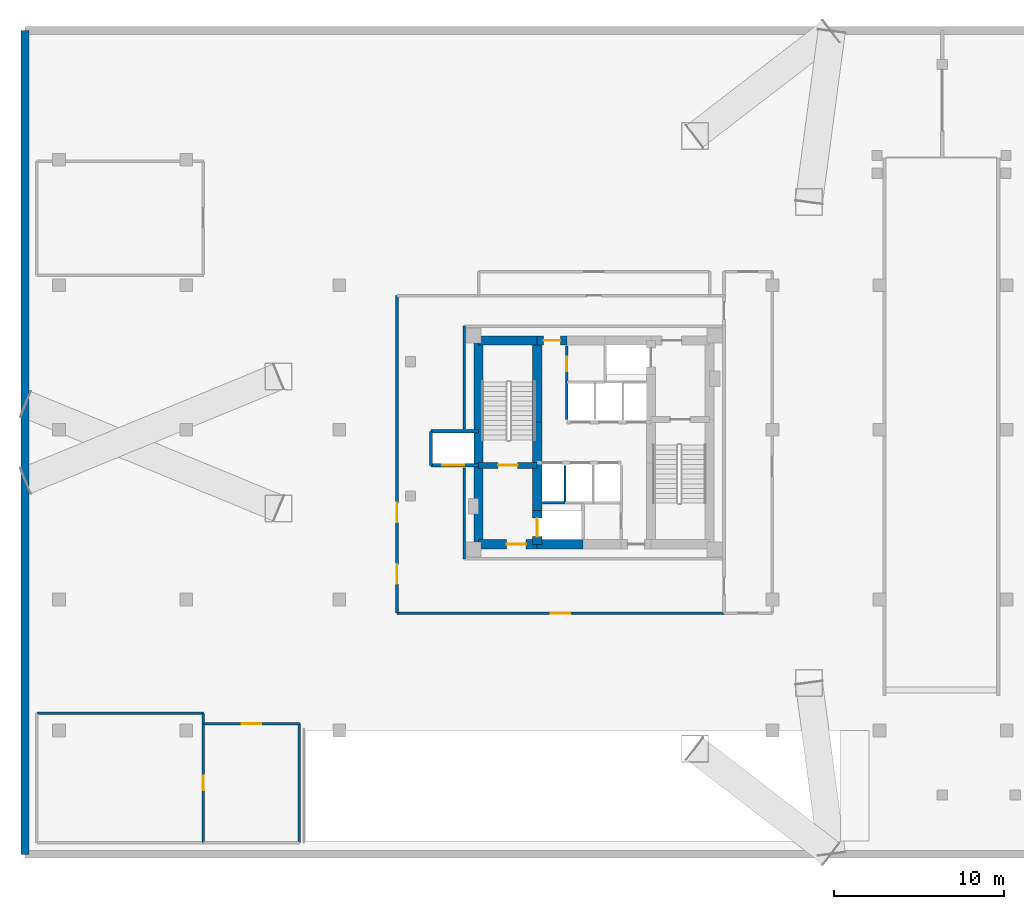
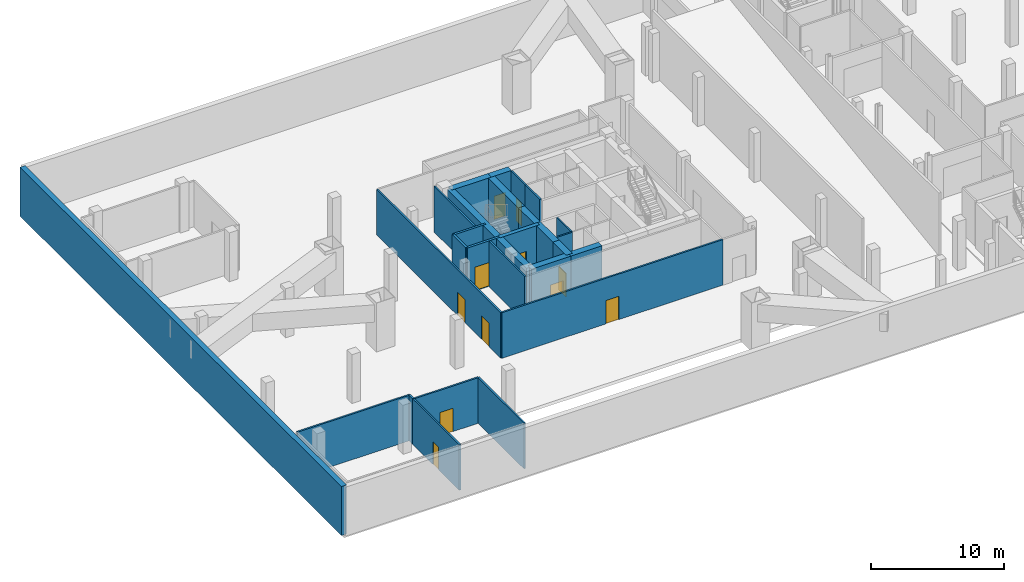
# One storey, part 5 of 14: 28 walls, 11 doors, 11 openings.
"""IFC4 building model written with IfcOpenShell, lengths in metres."""

from ifc_helpers import new_model, si_unit, direction, frame, frame_2d, origin, place, context, subcontext, project, spatial, rectangle, extrude, material, layer, layer_set, type_object, element, fill, save


model = new_model("IFC4")

# Units and contexts
model_context = context("Model", 3, precision=1e-05, world=origin(), true_north=direction((0.0, 1.0)))
body_context = subcontext(model_context, "Body", "Model", "MODEL_VIEW")
ifc_project = project(units=[si_unit("LENGTHUNIT", "METRE"), si_unit("AREAUNIT", "SQUARE_METRE"), si_unit("VOLUMEUNIT", "CUBIC_METRE"), si_unit("PLANEANGLEUNIT", "RADIAN"), si_unit("MASSUNIT", "GRAM", prefix="KILO")], contexts=[model_context])

# Site, building, storey
site_placement = place(None, origin())
site = spatial("IfcSite", under=ifc_project, at=site_placement, CompositionType="ELEMENT")
building_placement = place(site_placement, origin())
building = spatial("IfcBuilding", under=site, at=building_placement, Name="Mersakhor Tower and Convention Hall", CompositionType="ELEMENT")
storey_placement = place(building_placement, frame((0.0, 0.0, -4.5)))
storey = spatial("IfcBuildingStorey", under=building, at=storey_placement, Name="B01", CompositionType="ELEMENT", Elevation=-4.5)

# Walls
ifc_material_1 = material(Name="Gypsum board acoustic partition", Category="other")
ifc_layer_1 = layer(ifc_material_1, 0.125)
ifc_layer_set_1 = layer_set([ifc_layer_1], Name="Gypsum board acoustic partition")
wall_type_1 = type_object("IfcWallType", Name="WL-PRT-125", PredefinedType="PARTITIONING", material=ifc_layer_set_1)
wall_1_placement = place(storey_placement, frame((25.97509765625, 23.199951171875, 0.0), z_axis=(0.0, 0.0, 1.0), x_axis=(1.0, 0.0, 0.0)))
element("IfcWall", 1, at=wall_1_placement, inside=storey, type_object=wall_type_1, Name="B01 Interior Partition Wall P-001", PredefinedType="PARTITIONING", context=body_context, shape_type="SweptSolid", body=[
    extrude(rectangle(XDim=1.324951171875, YDim=0.125, at=frame_2d((0.66259765625, 0.0))), origin(), (0.0, 0.0, 1.0), 4.199951171875),
])
wall_2_placement = place(storey_placement, frame((27.300048828125, 25.39990234375, 0.0), z_axis=(0.0, 0.0, 1.0), x_axis=(0.0, -1.0, 0.0)))
element("IfcWall", 2, at=wall_2_placement, inside=storey, type_object=wall_type_1, Name="B01 Interior Partition Wall P-007", PredefinedType="PARTITIONING", context=body_context, shape_type="SweptSolid", body=[
    extrude(rectangle(XDim=2.199951171875, YDim=0.125, at=frame_2d((1.10009765625, 0.0))), origin(), (0.0, 0.0, 1.0), 4.199951171875),
])
ifc_material_2 = material(Name="Fire-rated gypsum board stud partition", Category="other")
ifc_layer_2 = layer(ifc_material_2, 0.14990234375)
ifc_layer_set_2 = layer_set([ifc_layer_2], Name="Fire-rated gypsum board stud partition")
wall_type_2 = type_object("IfcWallType", Name="WL-PRT-150", PredefinedType="PARTITIONING", material=ifc_layer_set_2)
wall_3_placement = place(storey_placement, frame((27.39990234375, 28.10009765625, 0.0), z_axis=(0.0, 0.0, 1.0), x_axis=(0.0, 1.0, 0.0)))
element("IfcWall", 3, at=wall_3_placement, inside=storey, type_object=wall_type_2, Name="B01 Interior Partition Wall P-014", PredefinedType="PARTITIONING", context=body_context, shape_type="SweptSolid", body=[
    extrude(rectangle(XDim=2.199951171875, YDim=0.14990234375, at=frame_2d((1.10009765625, 0.0))), origin(), (0.0, 0.0, 1.0), 4.199951171875),
])

# Wall, opening, door
wall_4_placement = place(storey_placement, frame((27.39990234375, 32.425048828125, 0.0), z_axis=(0.0, 0.0, 1.0), x_axis=(0.0, -1.0, 0.0)))
wall_4 = element("IfcWall", 4, at=wall_4_placement, inside=storey, type_object=wall_type_2, Name="B01 Interior Partition Wall P-018", PredefinedType="PARTITIONING", context=body_context, shape_type="SweptSolid", body=[
    extrude(rectangle(XDim=2.125, YDim=0.14990234375, at=frame_2d((1.0625, 0.0))), origin(), (0.0, 0.0, 1.0), 4.199951171875),
])
opening_1_placement = place(wall_4_placement, frame((0.637451171875, 0.0, 0.0)))
opening_1 = element("IfcOpeningElement", 5, at=opening_1_placement, cuts=wall_4, Name="Opening SVD-01", PredefinedType="OPENING", context=body_context, shape_type="SweptSolid", body=[
    extrude(rectangle(XDim=0.85009765625, YDim=2.10009765625, at=frame_2d((0.425048828125, 1.050048828125))), frame((0.0, 0.0849609375, 0.0), z_axis=(0.0, -1.0, 0.0), x_axis=(1.0, 0.0, 0.0)), (0.0, 0.0, 1.0), 0.169921875),
])
ifc_material_3 = material(Name="Fire-rated hardwood leaf and painted steel frame", Category="steel")
door_type_1 = type_object("IfcDoorType", Name="DR-INT-SVC-085x210", OperationType="NOTDEFINED", PredefinedType="DOOR", material=ifc_material_3)
door_1_placement = place(opening_1_placement, origin())
door_1 = element("IfcDoor", 6, at=door_1_placement, inside=storey, type_object=door_type_1, Name="B01 Central Passenger Lift Lobby to Telecoms and BMS Riser Room Door", OperationType="SINGLE_SWING_RIGHT", OverallHeight=2.10009765625, OverallWidth=0.85009765625, PredefinedType="DOOR", context=body_context, shape_type="SweptSolid", body=[
    extrude(rectangle(XDim=0.85009765625, YDim=2.10009765625, at=frame_2d((0.425048828125, 1.050048828125))), frame((0.0, 0.02490234375, 0.0), z_axis=(0.0, -1.0, 0.0), x_axis=(1.0, 0.0, 0.0)), (0.0, 0.0, 1.0), 0.050048828125),
])
fill(opening_1, door_1)

# Wall, openings, doors
wall_5_placement = place(storey_placement, frame((17.39990234375, 16.699951171875, 0.0), z_axis=(0.0, 0.0, 1.0), x_axis=(0.0, 1.0, 0.0)))
wall_5 = element("IfcWall", 7, at=wall_5_placement, inside=storey, type_object=wall_type_2, Name="B01 Interior Partition Wall P-019", PredefinedType="PARTITIONING", context=body_context, shape_type="SweptSolid", body=[
    extrude(rectangle(XDim=18.699951171875, YDim=0.14990234375, at=frame_2d((9.35009765625, 0.0))), origin(), (0.0, 0.0, 1.0), 4.199951171875),
])
opening_2_placement = place(wall_5_placement, frame((1.72509765625, 0.0, 0.0)))
opening_2 = element("IfcOpeningElement", 8, at=opening_2_placement, cuts=wall_5, Name="Opening SD-01", PredefinedType="OPENING", context=body_context, shape_type="SweptSolid", body=[
    extrude(rectangle(XDim=1.14990234375, YDim=2.14990234375, at=frame_2d((0.574951171875, 1.074951171875))), frame((0.0, 0.0849609375, 0.0), z_axis=(0.0, -1.0, 0.0), x_axis=(1.0, 0.0, 0.0)), (0.0, 0.0, 1.0), 0.169921875),
])
opening_3_placement = place(wall_5_placement, frame((5.347412109375, 0.0, 0.0)))
opening_3 = element("IfcOpeningElement", 9, at=opening_3_placement, cuts=wall_5, Name="Opening SD-01", PredefinedType="OPENING", context=body_context, shape_type="SweptSolid", body=[
    extrude(rectangle(XDim=1.14990234375, YDim=2.14990234375, at=frame_2d((0.574951171875, 1.074951171875))), frame((0.0, 0.0849609375, 0.0), z_axis=(0.0, -1.0, 0.0), x_axis=(1.0, 0.0, 0.0)), (0.0, 0.0, 1.0), 0.169921875),
])
ifc_material_4 = material(Name="Fire-rated hardwood leaf and painted steel frame", Category="steel")
door_type_2 = type_object("IfcDoorType", Name="DR-INT-STAIR-115x215", OperationType="NOTDEFINED", PredefinedType="DOOR", material=ifc_material_4)
door_2_placement = place(opening_2_placement, origin())
door_2 = element("IfcDoor", 10, at=door_2_placement, inside=storey, type_object=door_type_2, Name="B01 Basement Core Access Corridor West to Accessible Parking Bay AP-B01-1 Door", OperationType="SINGLE_SWING_RIGHT", OverallHeight=2.14990234375, OverallWidth=1.14990234375, PredefinedType="DOOR", context=body_context, shape_type="SweptSolid", body=[
    extrude(rectangle(XDim=1.14990234375, YDim=2.14990234375, at=frame_2d((0.574951171875, 1.074951171875))), frame((0.0, 0.02490234375, 0.0), z_axis=(0.0, -1.0, 0.0), x_axis=(1.0, 0.0, 0.0)), (0.0, 0.0, 1.0), 0.050048828125),
])
fill(opening_2, door_2)
door_3_placement = place(opening_3_placement, origin())
door_3 = element("IfcDoor", 11, at=door_3_placement, inside=storey, type_object=door_type_2, Name="B01 Basement Core Access Corridor West to Accessible Parking Bay AP-B01-2 Door", OperationType="SINGLE_SWING_LEFT", OverallHeight=2.14990234375, OverallWidth=1.14990234375, PredefinedType="DOOR", context=body_context, shape_type="SweptSolid", body=[
    extrude(rectangle(XDim=1.14990234375, YDim=2.14990234375, at=frame_2d((0.574951171875, 1.074951171875))), frame((0.0, 0.02490234375, 0.0), z_axis=(0.0, -1.0, 0.0), x_axis=(1.0, 0.0, 0.0)), (0.0, 0.0, 1.0), 0.050048828125),
])
fill(opening_3, door_3)

# Walls
wall_6_placement = place(storey_placement, frame((21.35009765625, 33.60009765625, 0.0), z_axis=(0.0, 0.0, 1.0), x_axis=(0.0, -1.0, 0.0)))
element("IfcWall", 12, at=wall_6_placement, inside=storey, type_object=wall_type_2, Name="B01 Interior Partition Wall P-025", PredefinedType="PARTITIONING", context=body_context, shape_type="SweptSolid", body=[
    extrude(rectangle(XDim=6.050048828125, YDim=0.14990234375, at=frame_2d((3.02490234375, 0.0))), origin(), (0.0, 0.0, 1.0), 4.199951171875),
])
wall_7_placement = place(storey_placement, frame((21.35009765625, 25.25, 0.0), z_axis=(0.0, 0.0, 1.0), x_axis=(0.0, -1.0, 0.0)))
element("IfcWall", 13, at=wall_7_placement, inside=storey, type_object=wall_type_2, Name="B01 Interior Partition Wall P-026", PredefinedType="PARTITIONING", context=body_context, shape_type="SweptSolid", body=[
    extrude(rectangle(XDim=5.35009765625, YDim=0.14990234375, at=frame_2d((2.675048828125, 0.0))), origin(), (0.0, 0.0, 1.0), 4.199951171875),
])

# Wall, opening, door
wall_8_placement = place(storey_placement, frame((36.64990234375, 16.699951171875, 0.0), z_axis=(0.0, 0.0, 1.0), x_axis=(-1.0, 0.0, 0.0)))
wall_8 = element("IfcWall", 14, at=wall_8_placement, inside=storey, type_object=wall_type_2, Name="B01 Interior Partition Wall P-029", PredefinedType="PARTITIONING", context=body_context, shape_type="SweptSolid", body=[
    extrude(rectangle(XDim=19.25, YDim=0.14990234375, at=frame_2d((9.625, 0.0))), origin(), (0.0, 0.0, 1.0), 4.199951171875),
])
opening_4_placement = place(wall_8_placement, frame((9.050048828125, 0.0, 0.0)))
opening_4 = element("IfcOpeningElement", 15, at=opening_4_placement, cuts=wall_8, Name="Opening SD-01", PredefinedType="OPENING", context=body_context, shape_type="SweptSolid", body=[
    extrude(rectangle(XDim=1.14990234375, YDim=2.14990234375, at=frame_2d((0.574951171875, 1.074951171875))), frame((0.0, 0.0849609375, 0.0), z_axis=(0.0, -1.0, 0.0), x_axis=(1.0, 0.0, 0.0)), (0.0, 0.0, 1.0), 0.169921875),
])
door_4_placement = place(opening_4_placement, origin())
door_4 = element("IfcDoor", 16, at=door_4_placement, inside=storey, type_object=door_type_2, Name="B01 Basement Core Access Corridor West to Two-Way Basement Drive Aisle AISLE-S Door", OperationType="SINGLE_SWING_LEFT", OverallHeight=2.14990234375, OverallWidth=1.14990234375, PredefinedType="DOOR", context=body_context, shape_type="SweptSolid", body=[
    extrude(rectangle(XDim=1.14990234375, YDim=2.14990234375, at=frame_2d((0.574951171875, 1.074951171875))), frame((0.0, 0.02490234375, 0.0), z_axis=(0.0, -1.0, 0.0), x_axis=(1.0, 0.0, 0.0)), (0.0, 0.0, 1.0), 0.050048828125),
])
fill(opening_4, door_4)

# Walls
wall_9_placement = place(storey_placement, frame((-3.800048828125, 10.800048828125, 0.0), z_axis=(0.0, 0.0, 1.0), x_axis=(1.0, 0.0, 0.0)))
element("IfcWall", 17, at=wall_9_placement, inside=storey, type_object=wall_type_2, Name="B01 Interior Partition Wall P-053", PredefinedType="PARTITIONING", context=body_context, shape_type="SweptSolid", body=[
    extrude(rectangle(XDim=9.800048828125, YDim=0.14990234375, at=frame_2d((4.89990234375, 0.0))), origin(), (0.0, 0.0, 1.0), 4.199951171875),
])
wall_10_placement = place(storey_placement, frame((6.0, 10.800048828125, 0.0), z_axis=(0.0, 0.0, 1.0), x_axis=(0.0, -1.0, 0.0)))
element("IfcWall", 18, at=wall_10_placement, inside=storey, type_object=wall_type_2, Name="B01 Interior Partition Wall P-054", PredefinedType="PARTITIONING", context=body_context, shape_type="SweptSolid", body=[
    extrude(rectangle(XDim=0.60009765625, YDim=0.14990234375, at=frame_2d((0.300048828125, 0.0))), origin(), (0.0, 0.0, 1.0), 4.199951171875),
])

# Wall, opening, door
wall_11_placement = place(storey_placement, frame((6.0, 10.199951171875, 0.0), z_axis=(0.0, 0.0, 1.0), x_axis=(0.0, -1.0, 0.0)))
wall_11 = element("IfcWall", 19, at=wall_11_placement, inside=storey, type_object=wall_type_2, Name="B01 Interior Partition Wall P-055", PredefinedType="PARTITIONING", context=body_context, shape_type="SweptSolid", body=[
    extrude(rectangle(XDim=7.0, YDim=0.14990234375, at=frame_2d((3.5, 0.0))), origin(), (0.0, 0.0, 1.0), 4.199951171875),
])
opening_5_placement = place(wall_11_placement, frame((3.074951171875, 0.0, 0.0)))
opening_5 = element("IfcOpeningElement", 20, at=opening_5_placement, cuts=wall_11, Name="Opening SVD-01", PredefinedType="OPENING", context=body_context, shape_type="SweptSolid", body=[
    extrude(rectangle(XDim=0.85009765625, YDim=2.10009765625, at=frame_2d((0.425048828125, 1.050048828125))), frame((0.0, 0.0849609375, 0.0), z_axis=(0.0, -1.0, 0.0), x_axis=(1.0, 0.0, 0.0)), (0.0, 0.0, 1.0), 0.169921875),
])
door_5_placement = place(opening_5_placement, origin())
door_5 = element("IfcDoor", 21, at=door_5_placement, inside=storey, type_object=door_type_1, Name="B01 Fire Fighting and Potable Water Tank Room to Sprinkler and Domestic Booster Pump Plant Room Door", OperationType="SINGLE_SWING_LEFT", OverallHeight=2.10009765625, OverallWidth=0.85009765625, PredefinedType="DOOR", context=body_context, shape_type="SweptSolid", body=[
    extrude(rectangle(XDim=0.85009765625, YDim=2.10009765625, at=frame_2d((0.425048828125, 1.050048828125))), frame((0.0, 0.02490234375, 0.0), z_axis=(0.0, -1.0, 0.0), x_axis=(1.0, 0.0, 0.0)), (0.0, 0.0, 1.0), 0.050048828125),
])
fill(opening_5, door_5)

wall_12_placement = place(storey_placement, frame((6.0, 10.199951171875, 0.0), z_axis=(0.0, 0.0, 1.0), x_axis=(1.0, 0.0, 0.0)))
wall_12 = element("IfcWall", 22, at=wall_12_placement, inside=storey, type_object=wall_type_2, Name="B01 Interior Partition Wall P-058", PredefinedType="PARTITIONING", context=body_context, shape_type="SweptSolid", body=[
    extrude(rectangle(XDim=5.64990234375, YDim=0.14990234375, at=frame_2d((2.824951171875, 0.0))), origin(), (0.0, 0.0, 1.0), 4.199951171875),
])
opening_6_placement = place(wall_12_placement, frame((2.25, 0.0, 0.0)))
opening_6 = element("IfcOpeningElement", 23, at=opening_6_placement, cuts=wall_12, Name="Opening SD-01", PredefinedType="OPENING", context=body_context, shape_type="SweptSolid", body=[
    extrude(rectangle(XDim=1.14990234375, YDim=2.14990234375, at=frame_2d((0.574951171875, 1.074951171875))), frame((0.0, 0.0849609375, 0.0), z_axis=(0.0, -1.0, 0.0), x_axis=(1.0, 0.0, 0.0)), (0.0, 0.0, 1.0), 0.169921875),
])
door_6_placement = place(opening_6_placement, origin())
door_6 = element("IfcDoor", 24, at=door_6_placement, inside=storey, type_object=door_type_2, Name="B01 Two-Way Basement Drive Aisle AISLE-W to Sprinkler and Domestic Booster Pump Plant Room Door", OperationType="SINGLE_SWING_RIGHT", OverallHeight=2.14990234375, OverallWidth=1.14990234375, PredefinedType="DOOR", context=body_context, shape_type="SweptSolid", body=[
    extrude(rectangle(XDim=1.14990234375, YDim=2.14990234375, at=frame_2d((0.574951171875, 1.074951171875))), frame((0.0, 0.02490234375, 0.0), z_axis=(0.0, -1.0, 0.0), x_axis=(1.0, 0.0, 0.0)), (0.0, 0.0, 1.0), 0.050048828125),
])
fill(opening_6, door_6)

# Walls
wall_13_placement = place(storey_placement, frame((11.64990234375, 10.199951171875, 0.0), z_axis=(0.0, 0.0, 1.0), x_axis=(0.0, -1.0, 0.0)))
element("IfcWall", 25, at=wall_13_placement, inside=storey, type_object=wall_type_2, Name="B01 Interior Partition Wall P-059", PredefinedType="PARTITIONING", context=body_context, shape_type="SweptSolid", body=[
    extrude(rectangle(XDim=7.0, YDim=0.14990234375, at=frame_2d((3.5, 0.0))), origin(), (0.0, 0.0, 1.0), 4.199951171875),
])
ifc_material_5 = material(Name="Acoustic concrete blockwork and gypsum board", Category="masonry")
ifc_layer_3 = layer(ifc_material_5, 0.199951171875)
ifc_layer_set_3 = layer_set([ifc_layer_3], Name="Acoustic concrete blockwork and gypsum board")
wall_type_3 = type_object("IfcWallType", Name="WL-PRT-200", PredefinedType="PARTITIONING", material=ifc_layer_set_3)
wall_14_placement = place(storey_placement, frame((19.39990234375, 25.39990234375, 0.0), z_axis=(0.0, 0.0, 1.0), x_axis=(0.0, 1.0, 0.0)))
element("IfcWall", 26, at=wall_14_placement, inside=storey, type_object=wall_type_3, Name="B01 Clinic Lift West Wall", PredefinedType="PARTITIONING", context=body_context, shape_type="SweptSolid", body=[
    extrude(rectangle(XDim=2.0, YDim=0.199951171875, at=frame_2d((1.0, 0.0))), origin(), (0.0, 0.0, 1.0), 4.199951171875),
])
wall_15_placement = place(storey_placement, frame((19.39990234375, 27.39990234375, 0.0), z_axis=(0.0, 0.0, 1.0), x_axis=(1.0, 0.0, 0.0)))
element("IfcWall", 27, at=wall_15_placement, inside=storey, type_object=wall_type_3, Name="B01 Clinic Lift North Wall", PredefinedType="PARTITIONING", context=body_context, shape_type="SweptSolid", body=[
    extrude(rectangle(XDim=2.800048828125, YDim=0.199951171875, at=frame_2d((1.39990234375, 0.0))), origin(), (0.0, 0.0, 1.0), 4.199951171875),
])

# Wall, opening, door
wall_16_placement = place(storey_placement, frame((22.199951171875, 25.39990234375, 0.0), z_axis=(0.0, 0.0, 1.0), x_axis=(-1.0, 0.0, 0.0)))
wall_16 = element("IfcWall", 28, at=wall_16_placement, inside=storey, type_object=wall_type_3, Name="B01 Clinic Lift Front Wall", PredefinedType="PARTITIONING", context=body_context, shape_type="SweptSolid", body=[
    extrude(rectangle(XDim=2.800048828125, YDim=0.199951171875, at=frame_2d((1.39990234375, 0.0))), origin(), (0.0, 0.0, 1.0), 4.199951171875),
])
opening_7_placement = place(wall_16_placement, frame((0.85009765625, 0.0, 0.0)))
opening_7 = element("IfcOpeningElement", 29, at=opening_7_placement, cuts=wall_16, Name="Opening LD-CL1", PredefinedType="OPENING", context=body_context, shape_type="SweptSolid", body=[
    extrude(rectangle(XDim=1.300048828125, YDim=2.199951171875, at=frame_2d((0.64990234375, 1.10009765625))), frame((0.0, 0.10986328125, 0.0), z_axis=(0.0, -1.0, 0.0), x_axis=(1.0, 0.0, 0.0)), (0.0, 0.0, 1.0), 0.219970703125),
])
ifc_material_6 = material(Name="Fire-rated brushed stainless steel sliding landing door", Category="steel")
door_type_3 = type_object("IfcDoorType", Name="DR-LIFT-SLD-130x220", OperationType="NOTDEFINED", PredefinedType="DOOR", material=ifc_material_6)
door_7_placement = place(opening_7_placement, origin())
door_7 = element("IfcDoor", 30, at=door_7_placement, inside=storey, type_object=door_type_3, Name="B01 Clinic Stretcher Lift Landing Door LD-CL1", OperationType="SLIDING_TO_LEFT", OverallHeight=2.199951171875, OverallWidth=1.300048828125, PredefinedType="DOOR", context=body_context, shape_type="SweptSolid", body=[
    extrude(rectangle(XDim=1.300048828125, YDim=2.199951171875, at=frame_2d((0.64990234375, 1.10009765625))), frame((0.0, 0.02490234375, 0.0), z_axis=(0.0, -1.0, 0.0), x_axis=(1.0, 0.0, 0.0)), (0.0, 0.0, 1.0), 0.050048828125),
])
fill(opening_7, door_7)

# Wall
ifc_material_7 = material(Name="Concrete C45/55", Category="concrete")
ifc_layer_4 = layer(ifc_material_7, 0.449951171875)
ifc_layer_set_4 = layer_set([ifc_layer_4], Name="Concrete C45/55")
wall_type_4 = type_object("IfcWallType", Name="WL-RET-450", PredefinedType="USERDEFINED", material=ifc_layer_set_4)
wall_17_placement = place(storey_placement, frame((-4.5, 51.0, 0.0), z_axis=(0.0, 0.0, 1.0), x_axis=(0.0, -1.0, 0.0)))
element("IfcWall", 31, at=wall_17_placement, inside=storey, type_object=wall_type_4, Name="B01 Perimeter Retaining Wall W", ObjectType="RETAININGWALL", PredefinedType="USERDEFINED", context=body_context, shape_type="SweptSolid", body=[
    extrude(rectangle(XDim=48.5, YDim=0.449951171875, at=frame_2d((24.25, 0.0))), origin(), (0.0, 0.0, 1.0), 4.5),
])

# Wall, opening, door
ifc_material_8 = material(Name="Concrete C50/60", Category="concrete")
ifc_layer_5 = layer(ifc_material_8, 0.35009765625)
ifc_layer_set_5 = layer_set([ifc_layer_5], Name="Concrete C50/60")
wall_type_5 = type_object("IfcWallType", Name="WL-SHR-350", PredefinedType="SHEAR", material=ifc_layer_set_5)
wall_18_placement = place(storey_placement, frame((22.199951171875, 25.39990234375, 0.0), z_axis=(0.0, 0.0, 1.0), x_axis=(1.0, 0.0, 0.0)))
wall_18 = element("IfcWall", 32, at=wall_18_placement, inside=storey, type_object=wall_type_5, Name="B01 Core Wall CS-ST1-S", PredefinedType="SHEAR", context=body_context, shape_type="SweptSolid", body=[
    extrude(rectangle(XDim=3.449951171875, YDim=0.35009765625, at=frame_2d((1.72509765625, 0.0))), origin(), (0.0, 0.0, 1.0), 4.199951171875),
])
opening_8_placement = place(wall_18_placement, frame((1.14990234375, 0.0, 0.0)))
opening_8 = element("IfcOpeningElement", 33, at=opening_8_placement, cuts=wall_18, Name="Opening SD-01", PredefinedType="OPENING", context=body_context, shape_type="SweptSolid", body=[
    extrude(rectangle(XDim=1.14990234375, YDim=2.14990234375, at=frame_2d((0.574951171875, 1.074951171875))), frame((0.0, 0.18505859375, 0.0), z_axis=(0.0, -1.0, 0.0), x_axis=(1.0, 0.0, 0.0)), (0.0, 0.0, 1.0), 0.3701171875),
])
door_8_placement = place(opening_8_placement, origin())
door_8 = element("IfcDoor", 34, at=door_8_placement, inside=storey, type_object=door_type_2, Name="B01 Exit Stair ST-1 Enclosure Door", OperationType="SINGLE_SWING_LEFT", OverallHeight=2.14990234375, OverallWidth=1.14990234375, PredefinedType="DOOR", context=body_context, shape_type="SweptSolid", body=[
    extrude(rectangle(XDim=1.14990234375, YDim=2.14990234375, at=frame_2d((0.574951171875, 1.074951171875))), frame((0.0, 0.02490234375, 0.0), z_axis=(0.0, -1.0, 0.0), x_axis=(1.0, 0.0, 0.0)), (0.0, 0.0, 1.0), 0.050048828125),
])
fill(opening_8, door_8)

# Walls
ifc_material_9 = material(Name="Concrete C70/85", Category="concrete")
ifc_layer_6 = layer(ifc_material_9, 0.550048828125)
ifc_layer_set_6 = layer_set([ifc_layer_6], Name="Concrete C70/85")
wall_type_6 = type_object("IfcWallType", Name="WL-SHR-550", PredefinedType="SHEAR", material=ifc_layer_set_6)
wall_19_placement = place(storey_placement, frame((22.199951171875, 20.75, 0.0), z_axis=(0.0, 0.0, 1.0), x_axis=(0.0, 1.0, 0.0)))
element("IfcWall", 35, at=wall_19_placement, inside=storey, type_object=wall_type_6, Name="B01 Core Wall CW-W1", PredefinedType="SHEAR", context=body_context, shape_type="SweptSolid", body=[
    extrude(rectangle(XDim=4.64990234375, YDim=0.550048828125, at=frame_2d((2.324951171875, 0.0))), origin(), (0.0, 0.0, 1.0), 4.199951171875),
])
wall_20_placement = place(storey_placement, frame((22.199951171875, 25.39990234375, 0.0), z_axis=(0.0, 0.0, 1.0), x_axis=(0.0, 1.0, 0.0)))
element("IfcWall", 36, at=wall_20_placement, inside=storey, type_object=wall_type_6, Name="B01 Core Wall CW-W2", PredefinedType="SHEAR", context=body_context, shape_type="SweptSolid", body=[
    extrude(rectangle(XDim=7.35009765625, YDim=0.550048828125, at=frame_2d((3.675048828125, 0.0))), origin(), (0.0, 0.0, 1.0), 4.199951171875),
])
wall_21_placement = place(storey_placement, frame((22.199951171875, 32.75, 0.0), z_axis=(0.0, 0.0, 1.0), x_axis=(1.0, 0.0, 0.0)))
element("IfcWall", 37, at=wall_21_placement, inside=storey, type_object=wall_type_6, Name="B01 Core Wall CW-N1", PredefinedType="SHEAR", context=body_context, shape_type="SweptSolid", body=[
    extrude(rectangle(XDim=3.449951171875, YDim=0.550048828125, at=frame_2d((1.72509765625, 0.0))), origin(), (0.0, 0.0, 1.0), 4.199951171875),
])

# Wall, opening, door
wall_22_placement = place(storey_placement, frame((25.64990234375, 32.75, 0.0), z_axis=(0.0, 0.0, 1.0), x_axis=(1.0, 0.0, 0.0)))
wall_22 = element("IfcWall", 38, at=wall_22_placement, inside=storey, type_object=wall_type_6, Name="B01 Core Wall CW-N2A", PredefinedType="SHEAR", context=body_context, shape_type="SweptSolid", body=[
    extrude(rectangle(XDim=1.75, YDim=0.550048828125, at=frame_2d((0.875, 0.0))), origin(), (0.0, 0.0, 1.0), 4.199951171875),
])
opening_9_placement = place(wall_22_placement, frame((0.375, 0.0, 0.0)))
opening_9 = element("IfcOpeningElement", 39, at=opening_9_placement, cuts=wall_22, Name="Opening CFD-01", PredefinedType="OPENING", context=body_context, shape_type="SweptSolid", body=[
    extrude(rectangle(XDim=1.0, YDim=2.14990234375, at=frame_2d((0.5, 1.074951171875))), frame((0.0, 0.284912109375, 0.0), z_axis=(0.0, -1.0, 0.0), x_axis=(1.0, 0.0, 0.0)), (0.0, 0.0, 1.0), 0.570068359375),
])
ifc_material_10 = material(Name="Fire-rated hardwood leaf and painted steel frame", Category="steel")
door_type_4 = type_object("IfcDoorType", Name="DR-CORE-FD-100x215", OperationType="NOTDEFINED", PredefinedType="DOOR", material=ifc_material_10)
door_9_placement = place(opening_9_placement, origin())
door_9 = element("IfcDoor", 40, at=door_9_placement, inside=storey, type_object=door_type_4, Name="B01 Lift Lobby North Corridor Door", OperationType="SINGLE_SWING_LEFT", OverallHeight=2.14990234375, OverallWidth=1.0, PredefinedType="DOOR", context=body_context, shape_type="SweptSolid", body=[
    extrude(rectangle(XDim=1.0, YDim=2.14990234375, at=frame_2d((0.5, 1.074951171875))), frame((0.0, 0.02490234375, 0.0), z_axis=(0.0, -1.0, 0.0), x_axis=(1.0, 0.0, 0.0)), (0.0, 0.0, 1.0), 0.050048828125),
])
fill(opening_9, door_9)

# Wall
wall_23_placement = place(storey_placement, frame((28.35009765625, 20.75, 0.0), z_axis=(0.0, 0.0, 1.0), x_axis=(-1.0, 0.0, 0.0)))
element("IfcWall", 41, at=wall_23_placement, inside=storey, type_object=wall_type_6, Name="B01 Core Wall CW-S3", PredefinedType="SHEAR", context=body_context, shape_type="SweptSolid", body=[
    extrude(rectangle(XDim=2.7001953125, YDim=0.550048828125, at=frame_2d((1.35009765625, 0.0))), origin(), (0.0, 0.0, 1.0), 4.199951171875),
])

# Wall, opening, door
wall_24_placement = place(storey_placement, frame((25.64990234375, 20.75, 0.0), z_axis=(0.0, 0.0, 1.0), x_axis=(-1.0, 0.0, 0.0)))
wall_24 = element("IfcWall", 42, at=wall_24_placement, inside=storey, type_object=wall_type_6, Name="B01 Core Wall CW-S4", PredefinedType="SHEAR", context=body_context, shape_type="SweptSolid", body=[
    extrude(rectangle(XDim=3.449951171875, YDim=0.550048828125, at=frame_2d((1.72509765625, 0.0))), origin(), (0.0, 0.0, 1.0), 4.199951171875),
])
opening_10_placement = place(wall_24_placement, frame((0.64990234375, 0.0, 0.0)))
opening_10 = element("IfcOpeningElement", 43, at=opening_10_placement, cuts=wall_24, Name="Opening SD-01", PredefinedType="OPENING", context=body_context, shape_type="SweptSolid", body=[
    extrude(rectangle(XDim=1.14990234375, YDim=2.14990234375, at=frame_2d((0.574951171875, 1.074951171875))), frame((0.0, 0.284912109375, 0.0), z_axis=(0.0, -1.0, 0.0), x_axis=(1.0, 0.0, 0.0)), (0.0, 0.0, 1.0), 0.570068359375),
])
door_10_placement = place(opening_10_placement, origin())
door_10 = element("IfcDoor", 44, at=door_10_placement, inside=storey, type_object=door_type_2, Name="B01 Firefighting Lobby West Fire Door", OperationType="SINGLE_SWING_LEFT", OverallHeight=2.14990234375, OverallWidth=1.14990234375, PredefinedType="DOOR", context=body_context, shape_type="SweptSolid", body=[
    extrude(rectangle(XDim=1.14990234375, YDim=2.14990234375, at=frame_2d((0.574951171875, 1.074951171875))), frame((0.0, 0.02490234375, 0.0), z_axis=(0.0, -1.0, 0.0), x_axis=(1.0, 0.0, 0.0)), (0.0, 0.0, 1.0), 0.050048828125),
])
fill(opening_10, door_10)

wall_25_placement = place(storey_placement, frame((25.64990234375, 20.75, 0.0), z_axis=(0.0, 0.0, 1.0), x_axis=(0.0, 1.0, 0.0)))
wall_25 = element("IfcWall", 45, at=wall_25_placement, inside=storey, type_object=wall_type_6, Name="B01 Core Wall CS-W-FFL", PredefinedType="SHEAR", context=body_context, shape_type="SweptSolid", body=[
    extrude(rectangle(XDim=2.0, YDim=0.550048828125, at=frame_2d((1.0, 0.0))), origin(), (0.0, 0.0, 1.0), 4.199951171875),
])
opening_11_placement = place(wall_25_placement, frame((0.449951171875, 0.0, 0.0)))
opening_11 = element("IfcOpeningElement", 46, at=opening_11_placement, cuts=wall_25, Name="Opening LD-FFL1", PredefinedType="OPENING", context=body_context, shape_type="SweptSolid", body=[
    extrude(rectangle(XDim=1.10009765625, YDim=2.14990234375, at=frame_2d((0.550048828125, 1.074951171875))), frame((0.0, 0.284912109375, 0.0), z_axis=(0.0, -1.0, 0.0), x_axis=(1.0, 0.0, 0.0)), (0.0, 0.0, 1.0), 0.570068359375),
])
ifc_material_11 = material(Name="Fire-rated brushed stainless steel sliding landing door", Category="steel")
door_type_5 = type_object("IfcDoorType", Name="DR-LIFT-SLD-110x215", OperationType="NOTDEFINED", PredefinedType="DOOR", material=ifc_material_11)
door_11_placement = place(opening_11_placement, origin())
door_11 = element("IfcDoor", 47, at=door_11_placement, inside=storey, type_object=door_type_5, Name="B01 Firefighting Lift Landing Door LD-FFL1", OperationType="SLIDING_TO_LEFT", OverallHeight=2.14990234375, OverallWidth=1.10009765625, PredefinedType="DOOR", context=body_context, shape_type="SweptSolid", body=[
    extrude(rectangle(XDim=1.10009765625, YDim=2.14990234375, at=frame_2d((0.550048828125, 1.074951171875))), frame((0.0, 0.02490234375, 0.0), z_axis=(0.0, -1.0, 0.0), x_axis=(1.0, 0.0, 0.0)), (0.0, 0.0, 1.0), 0.050048828125),
])
fill(opening_11, door_11)

# Walls
wall_26_placement = place(storey_placement, frame((25.64990234375, 22.75, 0.0), z_axis=(0.0, 0.0, 1.0), x_axis=(0.0, 1.0, 0.0)))
element("IfcWall", 48, at=wall_26_placement, inside=storey, type_object=wall_type_6, Name="B01 Core Wall CS-W-MID", PredefinedType="SHEAR", context=body_context, shape_type="SweptSolid", body=[
    extrude(rectangle(XDim=2.800048828125, YDim=0.550048828125, at=frame_2d((1.39990234375, 0.0))), origin(), (0.0, 0.0, 1.0), 4.199951171875),
])
wall_27_placement = place(storey_placement, frame((25.64990234375, 25.550048828125, 0.0), z_axis=(0.0, 0.0, 1.0), x_axis=(0.0, 1.0, 0.0)))
element("IfcWall", 49, at=wall_27_placement, inside=storey, type_object=wall_type_6, Name="B01 Core Wall CS-W-LOB", PredefinedType="SHEAR", context=body_context, shape_type="SweptSolid", body=[
    extrude(rectangle(XDim=2.39990234375, YDim=0.550048828125, at=frame_2d((1.199951171875, 0.0))), origin(), (0.0, 0.0, 1.0), 4.199951171875),
])
wall_28_placement = place(storey_placement, frame((25.64990234375, 27.949951171875, 0.0), z_axis=(0.0, 0.0, 1.0), x_axis=(0.0, 1.0, 0.0)))
element("IfcWall", 50, at=wall_28_placement, inside=storey, type_object=wall_type_6, Name="B01 Core Wall CS-W-ST1", PredefinedType="SHEAR", context=body_context, shape_type="SweptSolid", body=[
    extrude(rectangle(XDim=4.800048828125, YDim=0.550048828125, at=frame_2d((2.39990234375, 0.0))), origin(), (0.0, 0.0, 1.0), 4.199951171875),
])

save(model, "model.ifc")
